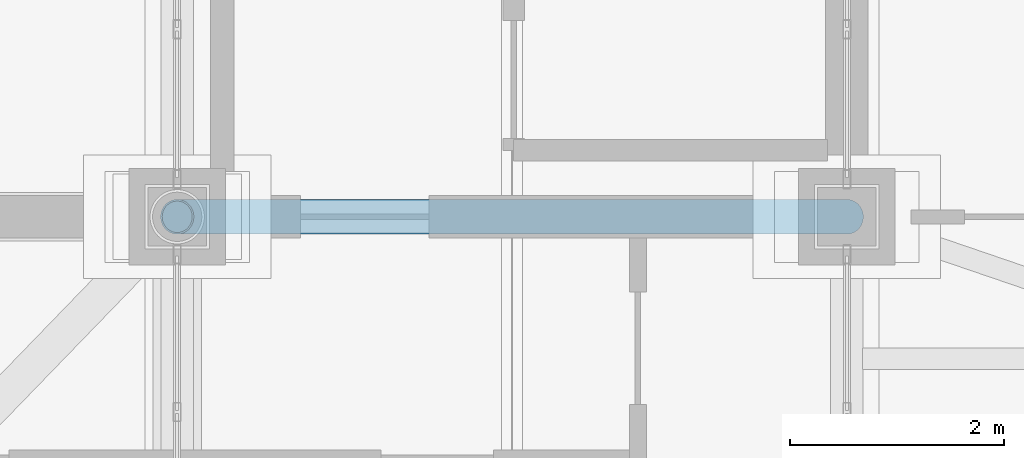
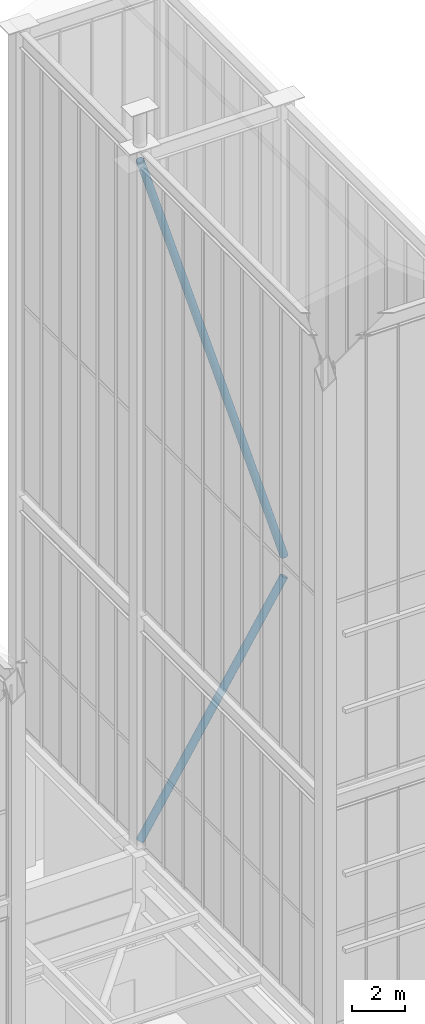
# One storey, part 80 of 135: 2 members.
"""IFC4 building model written with IfcOpenShell, lengths in metres."""

from ifc_helpers import new_model, si_unit, direction, frame, origin, origin_2d, place, context, subcontext, project, spatial, hollow_circle, extrude, source, transform, mapped, material, material_profile, profile_set, type_object, element, save


model = new_model("IFC4")

# Units and contexts
model_context = context("Model", 3, precision=1e-05, world=origin(), true_north=direction((0.0, 1.0)))
body_context = subcontext(model_context, "Body", "Model", "MODEL_VIEW")
ifc_project = project(units=[si_unit("LENGTHUNIT", "METRE"), si_unit("AREAUNIT", "SQUARE_METRE"), si_unit("VOLUMEUNIT", "CUBIC_METRE"), si_unit("PLANEANGLEUNIT", "RADIAN"), si_unit("MASSUNIT", "GRAM", prefix="KILO")], contexts=[model_context])

# Site, building, storey
site_placement = place(None, origin())
site = spatial("IfcSite", under=ifc_project, at=site_placement, CompositionType="ELEMENT")
building_placement = place(site_placement, origin())
building = spatial("IfcBuilding", under=site, at=building_placement, Name="Giltprow Tower", CompositionType="ELEMENT")
storey_placement = place(building_placement, frame((0.0, 0.0, 352.699951171875)))
storey = spatial("IfcBuildingStorey", under=building, at=storey_placement, Name="L92", CompositionType="ELEMENT", Elevation=352.699951171875)

# Members
ifc_material = material(Name="Structural steel Q355B", Category="steel")
ifc_material_profile = material_profile(ifc_material, hollow_circle(Radius=0.16259765625, WallThickness=0.01611328125, at=origin_2d()), Name="CHS 325x16")
ifc_profile_set = profile_set([ifc_material_profile], Name="Structural steel Q355B")
member_type = type_object("IfcMemberType", Name="MBR-CRN-CHS325", PredefinedType="BRACE", material=ifc_profile_set)
shared_shape_1 = source(origin(), body_context, "Body", "SweptSolid", [
    extrude(hollow_circle(Radius=0.16259765625, WallThickness=0.01611328125, at=origin_2d()), origin(), (0.0, 0.0, 1.0), 11.75),
])
member_1_placement = place(storey_placement, frame((44.300048828125, 37.449951171875, 6.550048828125), z_axis=(0.531911949549, 0.0, 0.846799668119), x_axis=(0.0, 1.0, 0.0)))
element("IfcMember", 1, at=member_1_placement, inside=storey, type_object=member_type, Name="Crown Frame East Internal Brace 1", PredefinedType="BRACE", context=body_context, shape_type="MappedRepresentation", body=[
    mapped(shared_shape_1, transform((0.0, 0.0, 0.0), x_axis=(1.0, 0.0, 0.0), y_axis=(0.0, 1.0, 0.0), z_axis=(0.0, 0.0, 1.0), scale=1.0)),
])
shared_shape_2 = source(origin(), body_context, "Body", "SweptSolid", [
    extrude(hollow_circle(Radius=0.16259765625, WallThickness=0.01611328125, at=origin_2d()), origin(), (0.0, 0.0, 1.0), 21.255859375),
])
member_2_placement = place(storey_placement, frame((50.550048828125, 37.449951171875, 17.449951171875), z_axis=(-0.294037421689, 0.0, 0.95579390804), x_axis=(0.0, -1.0, 0.0)))
element("IfcMember", 2, at=member_2_placement, inside=storey, type_object=member_type, Name="Crown Frame East Internal Brace 2", PredefinedType="BRACE", context=body_context, shape_type="MappedRepresentation", body=[
    mapped(shared_shape_2, transform((0.0, 0.0, 0.0), x_axis=(1.0, 0.0, 0.0), y_axis=(0.0, 1.0, 0.0), z_axis=(0.0, 0.0, 1.0), scale=1.0)),
])

save(model, "model.ifc")
